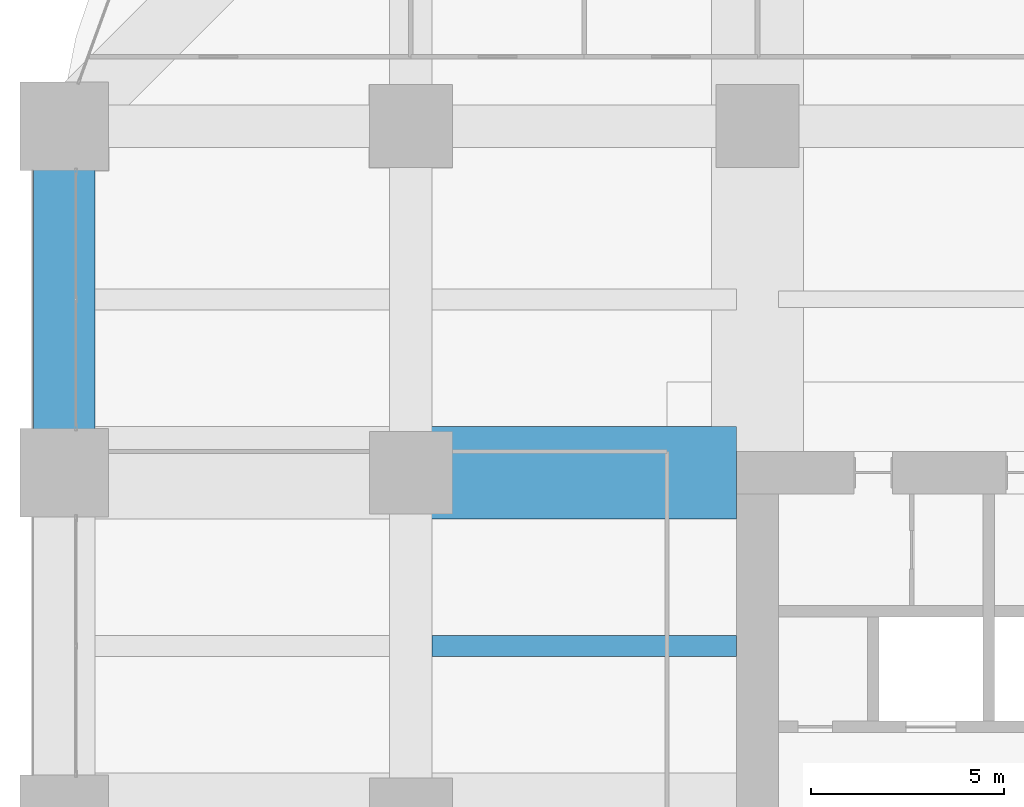
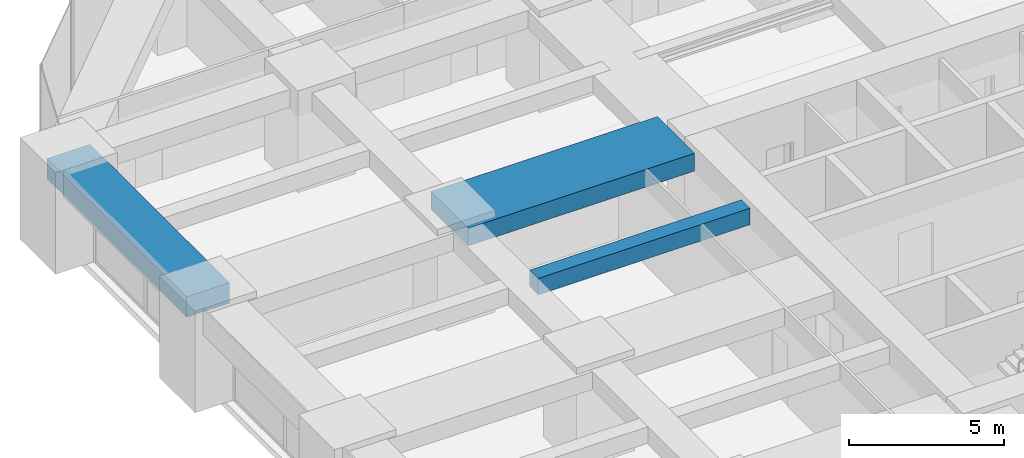
# One storey, part 24 of 44: 3 beams.
"""IFC4 building model written with IfcOpenShell, lengths in metres."""

from ifc_helpers import new_model, si_unit, direction, frame, origin, origin_2d, place, context, subcontext, project, spatial, rectangle, extrude, material, material_profile, profile_set, type_object, element, save


model = new_model("IFC4")

# Units and contexts
model_context = context("Model", 3, precision=1e-05, world=origin(), true_north=direction((0.0, 1.0)))
body_context = subcontext(model_context, "Body", "Model", "MODEL_VIEW")
ifc_project = project(units=[si_unit("LENGTHUNIT", "METRE"), si_unit("AREAUNIT", "SQUARE_METRE"), si_unit("VOLUMEUNIT", "CUBIC_METRE"), si_unit("PLANEANGLEUNIT", "RADIAN"), si_unit("MASSUNIT", "GRAM", prefix="KILO")], contexts=[model_context])

# Site, building, storey
site_placement = place(None, origin())
site = spatial("IfcSite", under=ifc_project, at=site_placement, CompositionType="ELEMENT")
building_placement = place(site_placement, origin())
building = spatial("IfcBuilding", under=site, at=building_placement, Name="Zorevar Civic Tower", CompositionType="ELEMENT")
storey_placement = place(building_placement, frame((0.0, 0.0, 63.800048828125)))
storey = spatial("IfcBuildingStorey", under=building, at=storey_placement, Name="L15", CompositionType="ELEMENT", Elevation=63.800048828125)

# Beams
ifc_material_1 = material(Name="Concrete C50/60", Category="concrete")
ifc_material_profile_1 = material_profile(ifc_material_1, rectangle(XDim=2.39990234375, YDim=0.699951171875, at=origin_2d()), Name="RC 2400x700")
ifc_profile_set_1 = profile_set([ifc_material_profile_1], Name="Concrete C50/60")
beam_type_1 = type_object("IfcBeamType", Name="Beam RC 2400x700", PredefinedType="BEAM", material=ifc_profile_set_1)
beam_1_placement = place(storey_placement, frame((9.0, 36.0, 3.39990234375), z_axis=(1.0, 0.0, 0.0), x_axis=(0.0, 1.0, 0.0)))
element("IfcBeam", 1, at=beam_1_placement, inside=storey, type_object=beam_type_1, Name="Girder L16", PredefinedType="BEAM", context=body_context, shape_type="SweptSolid", body=[
    extrude(rectangle(XDim=2.39990234375, YDim=0.699951171875, at=origin_2d()), origin(), (0.0, 0.0, 1.0), 8.449951171875),
])
ifc_material_2 = material(Name="Concrete C50/60", Category="concrete")
ifc_material_profile_2 = material_profile(ifc_material_2, rectangle(XDim=0.550048828125, YDim=0.64990234375, at=origin_2d()), Name="RC 550x650")
ifc_profile_set_2 = profile_set([ifc_material_profile_2], Name="Concrete C50/60")
beam_type_2 = type_object("IfcBeamType", Name="Beam RC 550x650", PredefinedType="BEAM", material=ifc_profile_set_2)
beam_2_placement = place(storey_placement, frame((9.550048828125, 31.5, 3.425048828125), z_axis=(1.0, 0.0, 0.0), x_axis=(0.0, 1.0, 0.0)))
element("IfcBeam", 2, at=beam_2_placement, inside=storey, type_object=beam_type_2, Name="Secondary beam L16", PredefinedType="BEAM", context=body_context, shape_type="SweptSolid", body=[
    extrude(rectangle(XDim=0.550048828125, YDim=0.64990234375, at=origin_2d()), origin(), (0.0, 0.0, 1.0), 7.89990234375),
])
ifc_material_3 = material(Name="Concrete C50/60", Category="concrete")
ifc_material_profile_3 = material_profile(ifc_material_3, rectangle(XDim=1.60009765625, YDim=0.800048828125, at=origin_2d()), Name="RC 1600x800")
ifc_profile_set_3 = profile_set([ifc_material_profile_3], Name="Concrete C50/60")
beam_type_3 = type_object("IfcBeamType", Name="Edge beam RC 1600x800", PredefinedType="SPANDREL", material=ifc_profile_set_3)
beam_3_placement = place(storey_placement, frame((0.0, 36.0, 3.349853515625), z_axis=(0.0, 1.0, 0.0), x_axis=(-1.0, 0.0, 0.0)))
element("IfcBeam", 3, at=beam_3_placement, inside=storey, type_object=beam_type_3, Name="Edge beam L16", PredefinedType="SPANDREL", context=body_context, shape_type="SweptSolid", body=[
    extrude(rectangle(XDim=1.60009765625, YDim=0.800048828125, at=origin_2d()), origin(), (0.0, 0.0, 1.0), 9.0),
])

save(model, "model.ifc")
